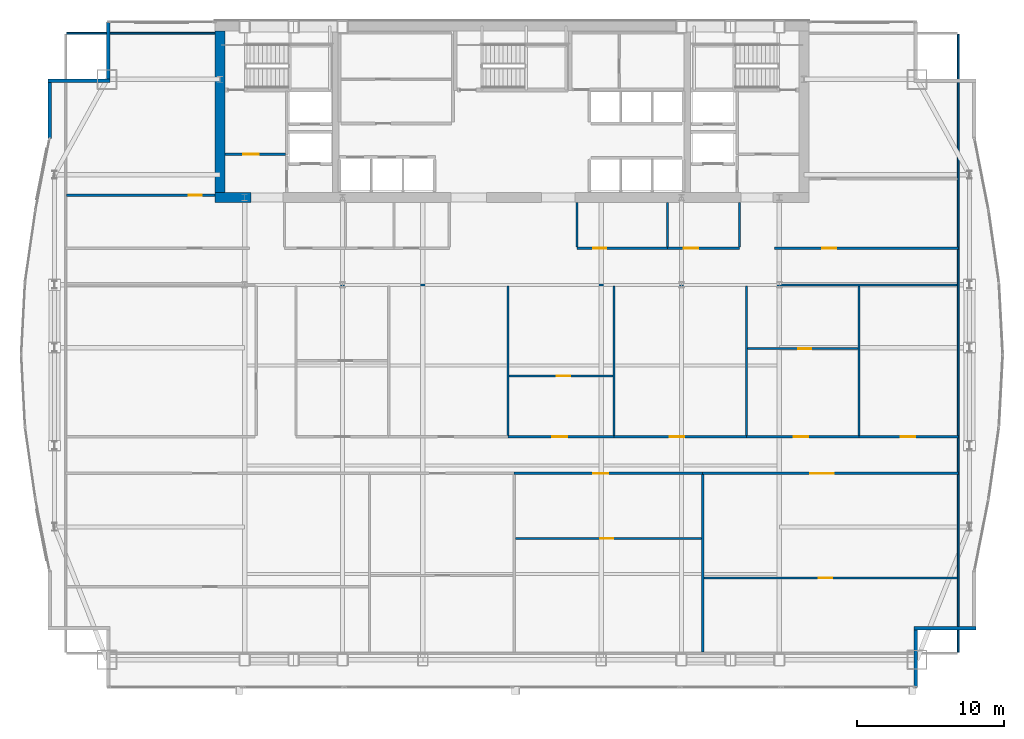
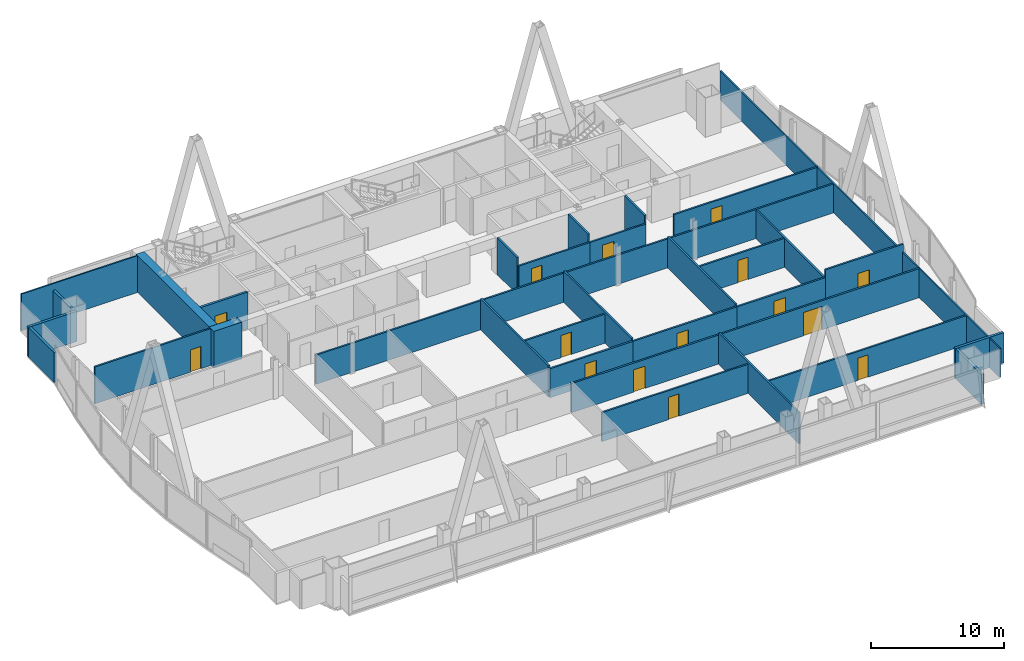
# One storey, part 27 of 31: 33 walls, 15 doors, 15 openings.
"""IFC4 building model written with IfcOpenShell, lengths in metres."""

from ifc_helpers import new_model, si_unit, direction, frame, frame_2d, origin, place, context, subcontext, project, spatial, rectangle, extrude, material, layer, layer_set, type_object, element, fill, save


model = new_model("IFC4")

# Units and contexts
model_context = context("Model", 3, precision=1e-05, world=origin(), true_north=direction((0.0, 1.0)))
body_context = subcontext(model_context, "Body", "Model", "MODEL_VIEW")
ifc_project = project(units=[si_unit("LENGTHUNIT", "METRE"), si_unit("AREAUNIT", "SQUARE_METRE"), si_unit("VOLUMEUNIT", "CUBIC_METRE"), si_unit("PLANEANGLEUNIT", "RADIAN"), si_unit("MASSUNIT", "GRAM", prefix="KILO")], contexts=[model_context])

# Site, building, storey
site_placement = place(None, origin())
site = spatial("IfcSite", under=ifc_project, at=site_placement, CompositionType="ELEMENT")
building_placement = place(site_placement, origin())
building = spatial("IfcBuilding", under=site, at=building_placement, Name="Khoronbel Lancet Exchange", CompositionType="ELEMENT")
storey_placement = place(building_placement, frame((0.0, 0.0, 168.60009765625)))
storey = spatial("IfcBuildingStorey", under=building, at=storey_placement, Name="L42", CompositionType="ELEMENT", Elevation=168.60009765625)

# Walls
ifc_material_1 = material(Name="Concrete C80/95", Category="concrete")
ifc_layer_1 = layer(ifc_material_1, 0.699951171875, Name="Concrete C80/95")
ifc_layer_set_1 = layer_set([ifc_layer_1], Name="Concrete C80/95")
wall_type_1 = type_object("IfcWallType", Name="WL-CW2", PredefinedType="SHEAR", material=ifc_layer_set_1)
wall_1_placement = place(storey_placement, frame((16.550048828125, 42.0, 0.0), z_axis=(0.0, 0.0, 1.0), x_axis=(0.0, 1.0, 0.0)))
element("IfcWall", 1, at=wall_1_placement, inside=storey, type_object=wall_type_1, Name="Level L42 rear core west shear wall", PredefinedType="SHEAR", context=body_context, shape_type="SweptSolid", body=[
    extrude(rectangle(XDim=11.0, YDim=0.699951171875, at=frame_2d((5.5, 0.0))), origin(), (0.0, 0.0, 1.0), 3.3798828125),
])
wall_2_placement = place(storey_placement, frame((18.64990234375, 41.64990234375, 0.0), z_axis=(0.0, 0.0, 1.0), x_axis=(-1.0, 0.0, 0.0)))
element("IfcWall", 2, at=wall_2_placement, inside=storey, type_object=wall_type_1, Name="Level L42 rear core south shear wall pier P1", PredefinedType="SHEAR", context=body_context, shape_type="SweptSolid", body=[
    extrude(rectangle(XDim=2.449951171875, YDim=0.699951171875, at=frame_2d((1.22509765625, 0.0))), origin(), (0.0, 0.0, 1.0), 3.3798828125),
])
ifc_material_2 = material(Name="Precast concrete C40/50", Category="concrete")
ifc_layer_2 = layer(ifc_material_2, 0.25, Name="Precast concrete C40/50")
ifc_layer_set_2 = layer_set([ifc_layer_2], Name="Precast concrete C40/50")
wall_type_2 = type_object("IfcWallType", Name="WL-EXT250", PredefinedType="SOLIDWALL", material=ifc_layer_set_2)
wall_3_placement = place(storey_placement, frame((4.93994140625, 45.671142578125, 0.0), z_axis=(0.0, 0.0, 1.0), x_axis=(0.0, 1.0, 0.0)))
element("IfcWall", 3, at=wall_3_placement, inside=storey, type_object=wall_type_2, Name="Level L42 notched-corner limestone pier 10", PredefinedType="SOLIDWALL", context=body_context, shape_type="SweptSolid", body=[
    extrude(rectangle(XDim=3.828857421875, YDim=0.219970703125, at=frame_2d((1.91455078125, 0.0))), origin(), (0.0, 0.0, 1.0), 2.77001953125),
])
wall_4_placement = place(storey_placement, frame((4.830078125, 49.610107421875, 0.0), z_axis=(0.0, 0.0, 1.0), x_axis=(1.0, 0.0, 0.0)))
element("IfcWall", 4, at=wall_4_placement, inside=storey, type_object=wall_type_2, Name="Level L42 notched-corner limestone pier 11", PredefinedType="SOLIDWALL", context=body_context, shape_type="SweptSolid", body=[
    extrude(rectangle(XDim=4.219970703125, YDim=0.219970703125, at=frame_2d((2.10986328125, 0.0))), origin(), (0.0, 0.0, 1.0), 2.77001953125),
])
wall_5_placement = place(storey_placement, frame((8.93994140625, 49.719970703125, 0.0), z_axis=(0.0, 0.0, 1.0), x_axis=(0.0, 1.0, 0.0)))
element("IfcWall", 5, at=wall_5_placement, inside=storey, type_object=wall_type_2, Name="Level L42 notched-corner limestone pier 12", PredefinedType="SOLIDWALL", context=body_context, shape_type="SweptSolid", body=[
    extrude(rectangle(XDim=3.909912109375, YDim=0.219970703125, at=frame_2d((1.955078125, 0.0))), origin(), (0.0, 0.0, 1.0), 2.77001953125),
])
wall_6_placement = place(storey_placement, frame((68.070068359375, 12.2900390625, 0.0), z_axis=(0.0, 0.0, 1.0), x_axis=(-1.0, 0.0, 0.0)))
element("IfcWall", 6, at=wall_6_placement, inside=storey, type_object=wall_type_2, Name="Level L42 notched-corner limestone pier 24", PredefinedType="SOLIDWALL", context=body_context, shape_type="SweptSolid", body=[
    extrude(rectangle(XDim=4.219970703125, YDim=0.219970703125, at=frame_2d((2.10986328125, 0.0))), origin(), (0.0, 0.0, 1.0), 2.77001953125),
])
wall_7_placement = place(storey_placement, frame((63.9599609375, 12.179931640625, 0.0), z_axis=(0.0, 0.0, 1.0), x_axis=(0.0, -1.0, 0.0)))
element("IfcWall", 7, at=wall_7_placement, inside=storey, type_object=wall_type_2, Name="Level L42 notched-corner limestone pier 25", PredefinedType="SOLIDWALL", context=body_context, shape_type="SweptSolid", body=[
    extrude(rectangle(XDim=3.909912109375, YDim=0.219970703125, at=frame_2d((1.955078125, 0.0))), origin(), (0.0, 0.0, 1.0), 2.77001953125),
])
ifc_material_3 = material(Name="Acoustic Metal-Stud & Mineral-Wool Gypsum Partition 120 mm", Category="gypsum")
ifc_layer_3 = layer(ifc_material_3, 0.1201171875, Name="Acoustic Metal-Stud & Mineral-Wool Gypsum Partition 120 mm")
ifc_layer_set_3 = layer_set([ifc_layer_3], Name="Acoustic Metal-Stud & Mineral-Wool Gypsum Partition 120 mm")
wall_type_3 = type_object("IfcWallType", Name="WL-PRT120", PredefinedType="PARTITIONING", material=ifc_layer_set_3)
for number, where, z_axis, x_axis, name in (
    (8, (40.8798828125, 38.280029296875, 0.0), (0.0, 0.0, 1.0), (0.0, 1.0, 0.0), "Level L42 interior partition PW-NP-0"),
    (9, (47.050048828125, 38.280029296875, 0.0), (0.0, 0.0, 1.0), (0.0, 1.0, 0.0), "Level L42 interior partition PW-NP-M"),
    (10, (51.949951171875, 38.280029296875, 0.0), (0.0, 0.0, 1.0), (0.0, 1.0, 0.0), "Level L42 interior partition PW-NP-1"),
):
    element("IfcWall", number, at=place(storey_placement, frame(where, z_axis=z_axis, x_axis=x_axis)), inside=storey, type_object=wall_type_3, Name=name, PredefinedType="PARTITIONING", context=body_context, shape_type="SweptSolid", body=[
        extrude(rectangle(XDim=3.02001953125, YDim=0.14990234375, at=frame_2d((1.510009765625, 0.0))), origin(), (0.0, 0.0, 1.0), 3.3798828125),
    ])

# Wall, opening, door
wall_8_placement = place(storey_placement, frame((6.094970703125, 41.800048828125, 0.0), z_axis=(0.0, 0.0, 1.0), x_axis=(1.0, 0.0, 0.0)))
wall_8 = element("IfcWall", 11, at=wall_8_placement, inside=storey, type_object=wall_type_3, Name="Level L42 interior partition PW-NW-H", PredefinedType="PARTITIONING", context=body_context, shape_type="SweptSolid", body=[
    extrude(rectangle(XDim=10.10498046875, YDim=0.14990234375, at=frame_2d((5.052490234375, 0.0))), origin(), (0.0, 0.0, 1.0), 3.3798828125),
])
opening_1_placement = place(wall_8_placement, frame((8.320068359375, 0.0, 0.0)))
opening_1 = element("IfcOpeningElement", 12, at=opening_1_placement, cuts=wall_8, Name="Opening D5", PredefinedType="OPENING", context=body_context, shape_type="SweptSolid", body=[
    extrude(rectangle(XDim=0.89990234375, YDim=2.050048828125, at=frame_2d((0.449951171875, 1.02490234375))), frame((0.0, 0.0849609375, 0.0), z_axis=(0.0, -1.0, 0.0), x_axis=(1.0, 0.0, 0.0)), (0.0, 0.0, 1.0), 0.169921875),
])
ifc_material_4 = material(Name="Acoustic Timber Pantry & Support Door", Category="wood")
door_type_1 = type_object("IfcDoorType", Name="DR-D5", OperationType="NOTDEFINED", PredefinedType="DOOR", material=ifc_material_4)
door_1_placement = place(opening_1_placement, origin())
door_1 = element("IfcDoor", 13, at=door_1_placement, inside=storey, type_object=door_type_1, Name="NW north room door L42-1", OperationType="SINGLE_SWING_LEFT", OverallHeight=2.050048828125, OverallWidth=0.89990234375, PredefinedType="DOOR", context=body_context, shape_type="SweptSolid", body=[
    extrude(rectangle(XDim=0.89990234375, YDim=2.050048828125, at=frame_2d((0.449951171875, 1.02490234375))), frame((0.0, 0.02490234375, 0.0), z_axis=(0.0, -1.0, 0.0), x_axis=(1.0, 0.0, 0.0)), (0.0, 0.0, 1.0), 0.050048828125),
])
fill(opening_1, door_1)

wall_9_placement = place(storey_placement, frame((36.679443359375, 18.40771484375, 0.0), z_axis=(0.0, 0.0, 1.0), x_axis=(1.0, 0.0, 0.0)))
wall_9 = element("IfcWall", 14, at=wall_9_placement, inside=storey, type_object=wall_type_3, Name="Level L42 interior partition PW-Z2S-H3", PredefinedType="PARTITIONING", context=body_context, shape_type="SweptSolid", body=[
    extrude(rectangle(XDim=12.68505859375, YDim=0.14990234375, at=frame_2d((6.342529296875, 0.0))), origin(), (0.0, 0.0, 1.0), 2.669921875),
])
opening_2_placement = place(wall_9_placement, frame((5.7802734375, 0.0, 0.0)))
opening_2 = element("IfcOpeningElement", 15, at=opening_2_placement, cuts=wall_9, Name="Opening D5", PredefinedType="OPENING", context=body_context, shape_type="SweptSolid", body=[
    extrude(rectangle(XDim=0.89990234375, YDim=2.050048828125, at=frame_2d((0.449951171875, 1.02490234375))), frame((0.0, 0.0849609375, 0.0), z_axis=(0.0, -1.0, 0.0), x_axis=(1.0, 0.0, 0.0)), (0.0, 0.0, 1.0), 0.169921875),
])
door_2_placement = place(opening_2_placement, origin())
door_2 = element("IfcDoor", 16, at=door_2_placement, inside=storey, type_object=door_type_1, Name="Z2S inner door 3 L42-1", OperationType="SINGLE_SWING_LEFT", OverallHeight=2.050048828125, OverallWidth=0.89990234375, PredefinedType="DOOR", context=body_context, shape_type="SweptSolid", body=[
    extrude(rectangle(XDim=0.89990234375, YDim=2.050048828125, at=frame_2d((0.449951171875, 1.02490234375))), frame((0.0, 0.02490234375, 0.0), z_axis=(0.0, -1.0, 0.0), x_axis=(1.0, 0.0, 0.0)), (0.0, 0.0, 1.0), 0.050048828125),
])
fill(opening_2, door_2)

wall_10_placement = place(storey_placement, frame((49.5244140625, 15.727783203125, 0.0), z_axis=(0.0, 0.0, 1.0), x_axis=(1.0, 0.0, 0.0)))
wall_10 = element("IfcWall", 17, at=wall_10_placement, inside=storey, type_object=wall_type_3, Name="Level L42 interior partition PW-Z2S-H4", PredefinedType="PARTITIONING", context=body_context, shape_type="SweptSolid", body=[
    extrude(rectangle(XDim=17.280517578125, YDim=0.14990234375, at=frame_2d((8.64013671875, 0.0))), origin(), (0.0, 0.0, 1.0), 2.669921875),
])
opening_3_placement = place(wall_10_placement, frame((7.841552734375, 0.0, 0.0)))
opening_3 = element("IfcOpeningElement", 18, at=opening_3_placement, cuts=wall_10, Name="Opening D5", PredefinedType="OPENING", context=body_context, shape_type="SweptSolid", body=[
    extrude(rectangle(XDim=0.89990234375, YDim=2.050048828125, at=frame_2d((0.449951171875, 1.02490234375))), frame((0.0, 0.0849609375, 0.0), z_axis=(0.0, -1.0, 0.0), x_axis=(1.0, 0.0, 0.0)), (0.0, 0.0, 1.0), 0.169921875),
])
door_3_placement = place(opening_3_placement, origin())
door_3 = element("IfcDoor", 19, at=door_3_placement, inside=storey, type_object=door_type_1, Name="Z2S inner door 4 L42-1", OperationType="SINGLE_SWING_RIGHT", OverallHeight=2.050048828125, OverallWidth=0.89990234375, PredefinedType="DOOR", context=body_context, shape_type="SweptSolid", body=[
    extrude(rectangle(XDim=0.89990234375, YDim=2.050048828125, at=frame_2d((0.449951171875, 1.02490234375))), frame((0.0, 0.02490234375, 0.0), z_axis=(0.0, -1.0, 0.0), x_axis=(1.0, 0.0, 0.0)), (0.0, 0.0, 1.0), 0.050048828125),
])
fill(opening_3, door_3)

wall_11_placement = place(storey_placement, frame((36.2548828125, 29.489990234375, 0.0), z_axis=(0.0, 0.0, 1.0), x_axis=(1.0, 0.0, 0.0)))
wall_11 = element("IfcWall", 20, at=wall_11_placement, inside=storey, type_object=wall_type_3, Name="Level L42 interior partition PW-Z2N-H3", PredefinedType="PARTITIONING", context=body_context, shape_type="SweptSolid", body=[
    extrude(rectangle(XDim=7.062255859375, YDim=0.14990234375, at=frame_2d((3.53125, 0.0))), origin(), (0.0, 0.0, 1.0), 2.669921875),
])
opening_4_placement = place(wall_11_placement, frame((3.25, 0.0, 0.0)))
opening_4 = element("IfcOpeningElement", 21, at=opening_4_placement, cuts=wall_11, Name="Opening D5", PredefinedType="OPENING", context=body_context, shape_type="SweptSolid", body=[
    extrude(rectangle(XDim=0.89990234375, YDim=2.050048828125, at=frame_2d((0.449951171875, 1.02490234375))), frame((0.0, 0.0849609375, 0.0), z_axis=(0.0, -1.0, 0.0), x_axis=(1.0, 0.0, 0.0)), (0.0, 0.0, 1.0), 0.169921875),
])
door_4_placement = place(opening_4_placement, origin())
door_4 = element("IfcDoor", 22, at=door_4_placement, inside=storey, type_object=door_type_1, Name="Z2N inner door 3 L42-1", OperationType="SINGLE_SWING_RIGHT", OverallHeight=2.050048828125, OverallWidth=0.89990234375, PredefinedType="DOOR", context=body_context, shape_type="SweptSolid", body=[
    extrude(rectangle(XDim=0.89990234375, YDim=2.050048828125, at=frame_2d((0.449951171875, 1.02490234375))), frame((0.0, 0.02490234375, 0.0), z_axis=(0.0, -1.0, 0.0), x_axis=(1.0, 0.0, 0.0)), (0.0, 0.0, 1.0), 0.050048828125),
])
fill(opening_4, door_4)

wall_12_placement = place(storey_placement, frame((52.505126953125, 31.35302734375, 0.0), z_axis=(0.0, 0.0, 1.0), x_axis=(1.0, 0.0, 0.0)))
wall_12 = element("IfcWall", 23, at=wall_12_placement, inside=storey, type_object=wall_type_3, Name="Level L42 interior partition PW-Z2N-H5", PredefinedType="PARTITIONING", context=body_context, shape_type="SweptSolid", body=[
    extrude(rectangle(XDim=7.513916015625, YDim=0.14990234375, at=frame_2d((3.7568359375, 0.0))), origin(), (0.0, 0.0, 1.0), 2.669921875),
])
opening_5_placement = place(wall_12_placement, frame((3.453125, 0.0, 0.0)))
opening_5 = element("IfcOpeningElement", 24, at=opening_5_placement, cuts=wall_12, Name="Opening D5", PredefinedType="OPENING", context=body_context, shape_type="SweptSolid", body=[
    extrude(rectangle(XDim=0.89990234375, YDim=2.050048828125, at=frame_2d((0.449951171875, 1.02490234375))), frame((0.0, 0.0849609375, 0.0), z_axis=(0.0, -1.0, 0.0), x_axis=(1.0, 0.0, 0.0)), (0.0, 0.0, 1.0), 0.169921875),
])
door_5_placement = place(opening_5_placement, origin())
door_5 = element("IfcDoor", 25, at=door_5_placement, inside=storey, type_object=door_type_1, Name="Z2N inner door 5 L42-1", OperationType="SINGLE_SWING_LEFT", OverallHeight=2.050048828125, OverallWidth=0.89990234375, PredefinedType="DOOR", context=body_context, shape_type="SweptSolid", body=[
    extrude(rectangle(XDim=0.89990234375, YDim=2.050048828125, at=frame_2d((0.449951171875, 1.02490234375))), frame((0.0, 0.02490234375, 0.0), z_axis=(0.0, -1.0, 0.0), x_axis=(1.0, 0.0, 0.0)), (0.0, 0.0, 1.0), 0.050048828125),
])
fill(opening_5, door_5)

# Walls
wall_13_placement = place(storey_placement, frame((66.8701171875, 10.6650390625, 0.0), z_axis=(0.0, 0.0, 1.0), x_axis=(0.0, 1.0, 0.0)))
element("IfcWall", 26, at=wall_13_placement, inside=storey, type_object=wall_type_3, Name="Level L42 interior partition PW-LIN-E", PredefinedType="PARTITIONING", context=body_context, shape_type="SweptSolid", body=[
    extrude(rectangle(XDim=42.10986328125, YDim=0.1201171875, at=frame_2d((21.054931640625, 0.0))), origin(), (0.0, 0.0, 1.0), 2.669921875),
])
wall_14_placement = place(storey_placement, frame((6.094970703125, 52.840087890625, 0.0), z_axis=(0.0, 0.0, 1.0), x_axis=(1.0, 0.0, 0.0)))
element("IfcWall", 27, at=wall_14_placement, inside=storey, type_object=wall_type_3, Name="Level L42 interior partition PW-LIN-NW", PredefinedType="PARTITIONING", context=body_context, shape_type="SweptSolid", body=[
    extrude(rectangle(XDim=10.10498046875, YDim=0.1201171875, at=frame_2d((5.052490234375, 0.0))), origin(), (0.0, 0.0, 1.0), 3.3798828125),
])

# Wall, opening, door
ifc_material_5 = material(Name="Fire-Rated Twin-Stud Acoustic Gypsum Partition 150 mm", Category="gypsum")
ifc_layer_4 = layer(ifc_material_5, 0.14990234375, Name="Fire-Rated Twin-Stud Acoustic Gypsum Partition 150 mm")
ifc_layer_set_4 = layer_set([ifc_layer_4], Name="Fire-Rated Twin-Stud Acoustic Gypsum Partition 150 mm")
wall_type_4 = type_object("IfcWallType", Name="WL-PRT150C", PredefinedType="PARTITIONING", material=ifc_layer_set_4)
wall_15_placement = place(storey_placement, frame((40.8798828125, 38.199951171875, 0.0), z_axis=(0.0, 0.0, 1.0), x_axis=(1.0, 0.0, 0.0)))
wall_15 = element("IfcWall", 28, at=wall_15_placement, inside=storey, type_object=wall_type_4, Name="Level L42 interior partition PW-NP-S1", PredefinedType="PARTITIONING", context=body_context, shape_type="SweptSolid", body=[
    extrude(rectangle(XDim=6.170166015625, YDim=0.14990234375, at=frame_2d((3.0849609375, 0.0))), origin(), (0.0, 0.0, 1.0), 2.669921875),
])
opening_6_placement = place(wall_15_placement, frame((1.10009765625, 0.0, 0.0)))
opening_6 = element("IfcOpeningElement", 29, at=opening_6_placement, cuts=wall_15, Name="Opening D5", PredefinedType="OPENING", context=body_context, shape_type="SweptSolid", body=[
    extrude(rectangle(XDim=0.89990234375, YDim=2.050048828125, at=frame_2d((0.449951171875, 1.02490234375))), frame((0.0, 0.0849609375, 0.0), z_axis=(0.0, -1.0, 0.0), x_axis=(1.0, 0.0, 0.0)), (0.0, 0.0, 1.0), 0.169921875),
])
door_6_placement = place(opening_6_placement, origin())
door_6 = element("IfcDoor", 30, at=door_6_placement, inside=storey, type_object=door_type_1, Name="Floor refreshment pantry door L42-1", OperationType="SINGLE_SWING_LEFT", OverallHeight=2.050048828125, OverallWidth=0.89990234375, PredefinedType="DOOR", context=body_context, shape_type="SweptSolid", body=[
    extrude(rectangle(XDim=0.89990234375, YDim=2.050048828125, at=frame_2d((0.449951171875, 1.02490234375))), frame((0.0, 0.02490234375, 0.0), z_axis=(0.0, -1.0, 0.0), x_axis=(1.0, 0.0, 0.0)), (0.0, 0.0, 1.0), 0.050048828125),
])
fill(opening_6, door_6)

wall_16_placement = place(storey_placement, frame((47.050048828125, 38.199951171875, 0.0), z_axis=(0.0, 0.0, 1.0), x_axis=(1.0, 0.0, 0.0)))
wall_16 = element("IfcWall", 31, at=wall_16_placement, inside=storey, type_object=wall_type_4, Name="Level L42 interior partition PW-NP-S2", PredefinedType="PARTITIONING", context=body_context, shape_type="SweptSolid", body=[
    extrude(rectangle(XDim=4.89990234375, YDim=0.14990234375, at=frame_2d((2.449951171875, 0.0))), origin(), (0.0, 0.0, 1.0), 2.669921875),
])
opening_7_placement = place(wall_16_placement, frame((1.10009765625, 0.0, 0.0)))
opening_7 = element("IfcOpeningElement", 32, at=opening_7_placement, cuts=wall_16, Name="Opening D2", PredefinedType="OPENING", context=body_context, shape_type="SweptSolid", body=[
    extrude(rectangle(XDim=1.0, YDim=2.050048828125, at=frame_2d((0.5, 1.02490234375))), frame((0.0, 0.0849609375, 0.0), z_axis=(0.0, -1.0, 0.0), x_axis=(1.0, 0.0, 0.0)), (0.0, 0.0, 1.0), 0.169921875),
])
ifc_material_6 = material(Name="Acoustic Veneered Timber & Bronze Frame Door", Category="wood")
door_type_2 = type_object("IfcDoorType", Name="DR-D2", OperationType="NOTDEFINED", PredefinedType="DOOR", material=ifc_material_6)
door_7_placement = place(opening_7_placement, origin())
door_7 = element("IfcDoor", 33, at=door_7_placement, inside=storey, type_object=door_type_2, Name="Floor store door L42-1", OperationType="SINGLE_SWING_RIGHT", OverallHeight=2.050048828125, OverallWidth=1.0, PredefinedType="DOOR", context=body_context, shape_type="SweptSolid", body=[
    extrude(rectangle(XDim=1.0, YDim=2.050048828125, at=frame_2d((0.5, 1.02490234375))), frame((0.0, 0.02490234375, 0.0), z_axis=(0.0, -1.0, 0.0), x_axis=(1.0, 0.0, 0.0)), (0.0, 0.0, 1.0), 0.050048828125),
])
fill(opening_7, door_7)

wall_17_placement = place(storey_placement, frame((54.35009765625, 38.199951171875, 0.0), z_axis=(0.0, 0.0, 1.0), x_axis=(1.0, 0.0, 0.0)))
wall_17 = element("IfcWall", 34, at=wall_17_placement, inside=storey, type_object=wall_type_4, Name="Level L42 interior partition PW-NE-S", PredefinedType="PARTITIONING", context=body_context, shape_type="SweptSolid", body=[
    extrude(rectangle(XDim=12.52001953125, YDim=0.14990234375, at=frame_2d((6.260009765625, 0.0))), origin(), (0.0, 0.0, 1.0), 2.669921875),
])
opening_8_placement = place(wall_17_placement, frame((3.25, 0.0, 0.0)))
opening_8 = element("IfcOpeningElement", 35, at=opening_8_placement, cuts=wall_17, Name="Opening D1", PredefinedType="OPENING", context=body_context, shape_type="SweptSolid", body=[
    extrude(rectangle(XDim=0.949951171875, YDim=2.050048828125, at=frame_2d((0.47509765625, 1.02490234375))), frame((0.0, 0.0849609375, 0.0), z_axis=(0.0, -1.0, 0.0), x_axis=(1.0, 0.0, 0.0)), (0.0, 0.0, 1.0), 0.169921875),
])
door_type_3 = type_object("IfcDoorType", Name="DR-D1", OperationType="NOTDEFINED", PredefinedType="DOOR", material=ifc_material_6)
door_8_placement = place(opening_8_placement, origin())
door_8 = element("IfcDoor", 36, at=door_8_placement, inside=storey, type_object=door_type_3, Name="NE corner room door L42-1", OperationType="SINGLE_SWING_RIGHT", OverallHeight=2.050048828125, OverallWidth=0.949951171875, PredefinedType="DOOR", context=body_context, shape_type="SweptSolid", body=[
    extrude(rectangle(XDim=0.949951171875, YDim=2.050048828125, at=frame_2d((0.47509765625, 1.02490234375))), frame((0.0, 0.02490234375, 0.0), z_axis=(0.0, -1.0, 0.0), x_axis=(1.0, 0.0, 0.0)), (0.0, 0.0, 1.0), 0.050048828125),
])
fill(opening_8, door_8)

# Walls
wall_18_placement = place(storey_placement, frame((49.444580078125, 10.6650390625, 0.0), z_axis=(0.0, 0.0, 1.0), x_axis=(0.0, 1.0, 0.0)))
element("IfcWall", 37, at=wall_18_placement, inside=storey, type_object=wall_type_4, Name="Level L42 interior partition PW-Z2S-V3", PredefinedType="PARTITIONING", context=body_context, shape_type="SweptSolid", body=[
    extrude(rectangle(XDim=12.099853515625, YDim=0.14990234375, at=frame_2d((6.0498046875, 0.0))), origin(), (0.0, 0.0, 1.0), 2.869873046875),
])
wall_19_placement = place(storey_placement, frame((21.81005859375, 35.699951171875, 0.0), z_axis=(0.0, 0.0, 1.0), x_axis=(1.0, 0.0, 0.0)))
element("IfcWall", 38, at=wall_19_placement, inside=storey, type_object=wall_type_4, Name="Level L42 interior partition PW-Z2-EN", PredefinedType="PARTITIONING", context=body_context, shape_type="SweptSolid", body=[
    extrude(rectangle(XDim=44.994873046875, YDim=0.14990234375, at=frame_2d((22.49755859375, 0.0))), origin(), (0.0, 0.0, 1.0), 2.669921875),
])
for number, where, z_axis, x_axis, name in (
    (39, (36.1748046875, 25.43505859375, 0.0), (0.0, 0.0, 1.0), (0.0, 1.0, 0.0), "Level L42 interior partition PW-Z2N-V2"),
    (40, (43.397216796875, 25.43505859375, 0.0), (0.0, 0.0, 1.0), (0.0, 1.0, 0.0), "Level L42 interior partition PW-Z2N-V3"),
    (41, (52.42529296875, 25.43505859375, 0.0), (0.0, 0.0, 1.0), (0.0, 1.0, 0.0), "Level L42 interior partition PW-Z2N-V4"),
):
    element("IfcWall", number, at=place(storey_placement, frame(where, z_axis=z_axis, x_axis=x_axis)), inside=storey, type_object=wall_type_4, Name=name, PredefinedType="PARTITIONING", context=body_context, shape_type="SweptSolid", body=[
        extrude(rectangle(XDim=10.18505859375, YDim=0.14990234375, at=frame_2d((5.092529296875, 0.0))), origin(), (0.0, 0.0, 1.0), 2.869873046875),
    ])
wall_20_placement = place(storey_placement, frame((60.09912109375, 25.43505859375, 0.0), z_axis=(0.0, 0.0, 1.0), x_axis=(0.0, 1.0, 0.0)))
element("IfcWall", 42, at=wall_20_placement, inside=storey, type_object=wall_type_4, Name="Level L42 interior partition PW-Z2N-V5", PredefinedType="PARTITIONING", context=body_context, shape_type="SweptSolid", body=[
    extrude(rectangle(XDim=10.18505859375, YDim=0.14990234375, at=frame_2d((5.092529296875, 0.0))), origin(), (0.0, 0.0, 1.0), 2.669921875),
])

# Wall, opening, door
ifc_material_7 = material(Name="Fire-Rated Twin-Stud Acoustic Gypsum Partition 160 mm", Category="gypsum")
ifc_layer_5 = layer(ifc_material_7, 0.159912109375, Name="Fire-Rated Twin-Stud Acoustic Gypsum Partition 160 mm")
ifc_layer_set_5 = layer_set([ifc_layer_5], Name="Fire-Rated Twin-Stud Acoustic Gypsum Partition 160 mm")
wall_type_5 = type_object("IfcWallType", Name="WL-PRT160C", PredefinedType="PARTITIONING", material=ifc_layer_set_5)
wall_21_placement = place(storey_placement, frame((36.599365234375, 22.85009765625, 0.0), z_axis=(0.0, 0.0, 1.0), x_axis=(1.0, 0.0, 0.0)))
wall_21 = element("IfcWall", 43, at=wall_21_placement, inside=storey, type_object=wall_type_5, Name="Level L42 interior partition PW-Z2S-COR3", PredefinedType="PARTITIONING", context=body_context, shape_type="SweptSolid", body=[
    extrude(rectangle(XDim=12.84521484375, YDim=0.159912109375, at=frame_2d((6.422607421875, 0.0))), origin(), (0.0, 0.0, 1.0), 2.669921875),
])
opening_9_placement = place(wall_21_placement, frame((5.39501953125, 0.0, 0.0)))
opening_9 = element("IfcOpeningElement", 44, at=opening_9_placement, cuts=wall_21, Name="Opening D2", PredefinedType="OPENING", context=body_context, shape_type="SweptSolid", body=[
    extrude(rectangle(XDim=1.0, YDim=2.050048828125, at=frame_2d((0.5, 1.02490234375))), frame((0.0, 0.08984375, 0.0), z_axis=(0.0, -1.0, 0.0), x_axis=(1.0, 0.0, 0.0)), (0.0, 0.0, 1.0), 0.179931640625),
])
door_9_placement = place(opening_9_placement, origin())
door_9 = element("IfcDoor", 45, at=door_9_placement, inside=storey, type_object=door_type_2, Name="Z2S bay 3 door L42-1", OperationType="SINGLE_SWING_RIGHT", OverallHeight=2.050048828125, OverallWidth=1.0, PredefinedType="DOOR", context=body_context, shape_type="SweptSolid", body=[
    extrude(rectangle(XDim=1.0, YDim=2.050048828125, at=frame_2d((0.5, 1.02490234375))), frame((0.0, 0.02490234375, 0.0), z_axis=(0.0, -1.0, 0.0), x_axis=(1.0, 0.0, 0.0)), (0.0, 0.0, 1.0), 0.050048828125),
])
fill(opening_9, door_9)

wall_22_placement = place(storey_placement, frame((49.444580078125, 22.85009765625, 0.0), z_axis=(0.0, 0.0, 1.0), x_axis=(1.0, 0.0, 0.0)))
wall_22 = element("IfcWall", 46, at=wall_22_placement, inside=storey, type_object=wall_type_5, Name="Level L42 interior partition PW-Z2S-COR4", PredefinedType="PARTITIONING", context=body_context, shape_type="SweptSolid", body=[
    extrude(rectangle(XDim=17.425537109375, YDim=0.159912109375, at=frame_2d((8.712890625, 0.0))), origin(), (0.0, 0.0, 1.0), 2.669921875),
])
opening_10_placement = place(wall_22_placement, frame((7.318603515625, 0.0, 0.0)))
opening_10 = element("IfcOpeningElement", 47, at=opening_10_placement, cuts=wall_22, Name="Opening D3", PredefinedType="OPENING", context=body_context, shape_type="SweptSolid", body=[
    extrude(rectangle(XDim=1.60009765625, YDim=2.14990234375, at=frame_2d((0.800048828125, 1.074951171875))), frame((0.0, 0.08984375, 0.0), z_axis=(0.0, -1.0, 0.0), x_axis=(1.0, 0.0, 0.0)), (0.0, 0.0, 1.0), 0.179931640625),
])
ifc_material_8 = material(Name="Glazed Bronze-Framed Double Suite Door", Category="aluminium")
door_type_4 = type_object("IfcDoorType", Name="DR-D3", OperationType="NOTDEFINED", PredefinedType="DOOR", material=ifc_material_8)
door_10_placement = place(opening_10_placement, origin())
door_10 = element("IfcDoor", 48, at=door_10_placement, inside=storey, type_object=door_type_4, Name="Z2S bay 4 door L42-1", OperationType="DOUBLE_DOOR_SINGLE_SWING", OverallHeight=2.14990234375, OverallWidth=1.60009765625, PredefinedType="DOOR", context=body_context, shape_type="SweptSolid", body=[
    extrude(rectangle(XDim=1.60009765625, YDim=2.14990234375, at=frame_2d((0.800048828125, 1.074951171875))), frame((0.0, 0.02490234375, 0.0), z_axis=(0.0, -1.0, 0.0), x_axis=(1.0, 0.0, 0.0)), (0.0, 0.0, 1.0), 0.050048828125),
])
fill(opening_10, door_10)

wall_23_placement = place(storey_placement, frame((36.1748046875, 25.35009765625, 0.0), z_axis=(0.0, 0.0, 1.0), x_axis=(1.0, 0.0, 0.0)))
wall_23 = element("IfcWall", 49, at=wall_23_placement, inside=storey, type_object=wall_type_5, Name="Level L42 interior partition PW-Z2N-COR3", PredefinedType="PARTITIONING", context=body_context, shape_type="SweptSolid", body=[
    extrude(rectangle(XDim=7.222412109375, YDim=0.159912109375, at=frame_2d((3.611328125, 0.0))), origin(), (0.0, 0.0, 1.0), 2.669921875),
])
opening_11_placement = place(wall_23_placement, frame((3.033447265625, 0.0, 0.0)))
opening_11 = element("IfcOpeningElement", 50, at=opening_11_placement, cuts=wall_23, Name="Opening D2", PredefinedType="OPENING", context=body_context, shape_type="SweptSolid", body=[
    extrude(rectangle(XDim=1.0, YDim=2.050048828125, at=frame_2d((0.5, 1.02490234375))), frame((0.0, 0.08984375, 0.0), z_axis=(0.0, -1.0, 0.0), x_axis=(1.0, 0.0, 0.0)), (0.0, 0.0, 1.0), 0.179931640625),
])
door_11_placement = place(opening_11_placement, origin())
door_11 = element("IfcDoor", 51, at=door_11_placement, inside=storey, type_object=door_type_2, Name="Z2N bay 3 door L42-1", OperationType="SINGLE_SWING_LEFT", OverallHeight=2.050048828125, OverallWidth=1.0, PredefinedType="DOOR", context=body_context, shape_type="SweptSolid", body=[
    extrude(rectangle(XDim=1.0, YDim=2.050048828125, at=frame_2d((0.5, 1.02490234375))), frame((0.0, 0.02490234375, 0.0), z_axis=(0.0, -1.0, 0.0), x_axis=(1.0, 0.0, 0.0)), (0.0, 0.0, 1.0), 0.050048828125),
])
fill(opening_11, door_11)

wall_24_placement = place(storey_placement, frame((43.397216796875, 25.35009765625, 0.0), z_axis=(0.0, 0.0, 1.0), x_axis=(1.0, 0.0, 0.0)))
wall_24 = element("IfcWall", 52, at=wall_24_placement, inside=storey, type_object=wall_type_5, Name="Level L42 interior partition PW-Z2N-COR4", PredefinedType="PARTITIONING", context=body_context, shape_type="SweptSolid", body=[
    extrude(rectangle(XDim=9.028076171875, YDim=0.159912109375, at=frame_2d((4.51416015625, 0.0))), origin(), (0.0, 0.0, 1.0), 2.669921875),
])
opening_12_placement = place(wall_24_placement, frame((3.791748046875, 0.0, 0.0)))
opening_12 = element("IfcOpeningElement", 53, at=opening_12_placement, cuts=wall_24, Name="Opening D2", PredefinedType="OPENING", context=body_context, shape_type="SweptSolid", body=[
    extrude(rectangle(XDim=1.0, YDim=2.050048828125, at=frame_2d((0.5, 1.02490234375))), frame((0.0, 0.08984375, 0.0), z_axis=(0.0, -1.0, 0.0), x_axis=(1.0, 0.0, 0.0)), (0.0, 0.0, 1.0), 0.179931640625),
])
door_12_placement = place(opening_12_placement, origin())
door_12 = element("IfcDoor", 54, at=door_12_placement, inside=storey, type_object=door_type_2, Name="Z2N bay 4 door L42-1", OperationType="SINGLE_SWING_LEFT", OverallHeight=2.050048828125, OverallWidth=1.0, PredefinedType="DOOR", context=body_context, shape_type="SweptSolid", body=[
    extrude(rectangle(XDim=1.0, YDim=2.050048828125, at=frame_2d((0.5, 1.02490234375))), frame((0.0, 0.02490234375, 0.0), z_axis=(0.0, -1.0, 0.0), x_axis=(1.0, 0.0, 0.0)), (0.0, 0.0, 1.0), 0.050048828125),
])
fill(opening_12, door_12)

wall_25_placement = place(storey_placement, frame((52.42529296875, 25.35009765625, 0.0), z_axis=(0.0, 0.0, 1.0), x_axis=(1.0, 0.0, 0.0)))
wall_25 = element("IfcWall", 55, at=wall_25_placement, inside=storey, type_object=wall_type_5, Name="Level L42 interior partition PW-Z2N-COR5", PredefinedType="PARTITIONING", context=body_context, shape_type="SweptSolid", body=[
    extrude(rectangle(XDim=7.673828125, YDim=0.159912109375, at=frame_2d((3.8369140625, 0.0))), origin(), (0.0, 0.0, 1.0), 2.669921875),
])
opening_13_placement = place(wall_25_placement, frame((3.222900390625, 0.0, 0.0)))
opening_13 = element("IfcOpeningElement", 56, at=opening_13_placement, cuts=wall_25, Name="Opening D2", PredefinedType="OPENING", context=body_context, shape_type="SweptSolid", body=[
    extrude(rectangle(XDim=1.0, YDim=2.050048828125, at=frame_2d((0.5, 1.02490234375))), frame((0.0, 0.08984375, 0.0), z_axis=(0.0, -1.0, 0.0), x_axis=(1.0, 0.0, 0.0)), (0.0, 0.0, 1.0), 0.179931640625),
])
door_13_placement = place(opening_13_placement, origin())
door_13 = element("IfcDoor", 57, at=door_13_placement, inside=storey, type_object=door_type_2, Name="Z2N bay 5 door L42-1", OperationType="SINGLE_SWING_RIGHT", OverallHeight=2.050048828125, OverallWidth=1.0, PredefinedType="DOOR", context=body_context, shape_type="SweptSolid", body=[
    extrude(rectangle(XDim=1.0, YDim=2.050048828125, at=frame_2d((0.5, 1.02490234375))), frame((0.0, 0.02490234375, 0.0), z_axis=(0.0, -1.0, 0.0), x_axis=(1.0, 0.0, 0.0)), (0.0, 0.0, 1.0), 0.050048828125),
])
fill(opening_13, door_13)

wall_26_placement = place(storey_placement, frame((60.09912109375, 25.35009765625, 0.0), z_axis=(0.0, 0.0, 1.0), x_axis=(1.0, 0.0, 0.0)))
wall_26 = element("IfcWall", 58, at=wall_26_placement, inside=storey, type_object=wall_type_5, Name="Level L42 interior partition PW-Z2N-COR6", PredefinedType="PARTITIONING", context=body_context, shape_type="SweptSolid", body=[
    extrude(rectangle(XDim=6.77099609375, YDim=0.159912109375, at=frame_2d((3.385498046875, 0.0))), origin(), (0.0, 0.0, 1.0), 3.3798828125),
])
opening_14_placement = place(wall_26_placement, frame((2.84375, 0.0, 0.0)))
opening_14 = element("IfcOpeningElement", 59, at=opening_14_placement, cuts=wall_26, Name="Opening D2", PredefinedType="OPENING", context=body_context, shape_type="SweptSolid", body=[
    extrude(rectangle(XDim=1.0, YDim=2.050048828125, at=frame_2d((0.5, 1.02490234375))), frame((0.0, 0.08984375, 0.0), z_axis=(0.0, -1.0, 0.0), x_axis=(1.0, 0.0, 0.0)), (0.0, 0.0, 1.0), 0.179931640625),
])
door_14_placement = place(opening_14_placement, origin())
door_14 = element("IfcDoor", 60, at=door_14_placement, inside=storey, type_object=door_type_2, Name="Z2N bay 6 door L42-1", OperationType="SINGLE_SWING_RIGHT", OverallHeight=2.050048828125, OverallWidth=1.0, PredefinedType="DOOR", context=body_context, shape_type="SweptSolid", body=[
    extrude(rectangle(XDim=1.0, YDim=2.050048828125, at=frame_2d((0.5, 1.02490234375))), frame((0.0, 0.02490234375, 0.0), z_axis=(0.0, -1.0, 0.0), x_axis=(1.0, 0.0, 0.0)), (0.0, 0.0, 1.0), 0.050048828125),
])
fill(opening_14, door_14)

ifc_material_9 = material(Name="Autoclaved Aerated Concrete Blockwork 200 mm", Category="masonry")
ifc_layer_6 = layer(ifc_material_9, 0.199951171875, Name="Autoclaved Aerated Concrete Blockwork 200 mm")
ifc_layer_set_6 = layer_set([ifc_layer_6], Name="Autoclaved Aerated Concrete Blockwork 200 mm")
wall_type_6 = type_object("IfcWallType", Name="WL-PRT200", PredefinedType="PARTITIONING", material=ifc_layer_set_6)
wall_27_placement = place(storey_placement, frame((16.89990234375, 44.60009765625, 0.0), z_axis=(0.0, 0.0, 1.0), x_axis=(1.0, 0.0, 0.0)))
wall_27 = element("IfcWall", 61, at=wall_27_placement, inside=storey, type_object=wall_type_6, Name="Level L42 interior partition CW-FFLW-S", PredefinedType="PARTITIONING", context=body_context, shape_type="SweptSolid", body=[
    extrude(rectangle(XDim=4.10009765625, YDim=0.199951171875, at=frame_2d((2.050048828125, 0.0))), origin(), (0.0, 0.0, 1.0), 3.3798828125),
])
opening_15_placement = place(wall_27_placement, frame((1.25, 0.0, 0.0)))
opening_15 = element("IfcOpeningElement", 62, at=opening_15_placement, cuts=wall_27, Name="Opening FD1", PredefinedType="OPENING", context=body_context, shape_type="SweptSolid", body=[
    extrude(rectangle(XDim=1.050048828125, YDim=2.14990234375, at=frame_2d((0.52490234375, 1.074951171875))), frame((0.0, 0.10986328125, 0.0), z_axis=(0.0, -1.0, 0.0), x_axis=(1.0, 0.0, 0.0)), (0.0, 0.0, 1.0), 0.219970703125),
])
ifc_material_10 = material(Name="Fire-Rated Painted Steel Door Assembly", Category="steel")
door_type_5 = type_object("IfcDoorType", Name="DR-FD1", OperationType="NOTDEFINED", PredefinedType="DOOR", material=ifc_material_10)
door_15_placement = place(opening_15_placement, origin())
door_15 = element("IfcDoor", 63, at=door_15_placement, inside=storey, type_object=door_type_5, Name="West firefighting lobby FD90S door L42-1", OperationType="SINGLE_SWING_RIGHT", OverallHeight=2.14990234375, OverallWidth=1.050048828125, PredefinedType="DOOR", context=body_context, shape_type="SweptSolid", body=[
    extrude(rectangle(XDim=1.050048828125, YDim=2.14990234375, at=frame_2d((0.52490234375, 1.074951171875))), frame((0.0, 0.02490234375, 0.0), z_axis=(0.0, -1.0, 0.0), x_axis=(1.0, 0.0, 0.0)), (0.0, 0.0, 1.0), 0.050048828125),
])
fill(opening_15, door_15)

save(model, "model.ifc")
